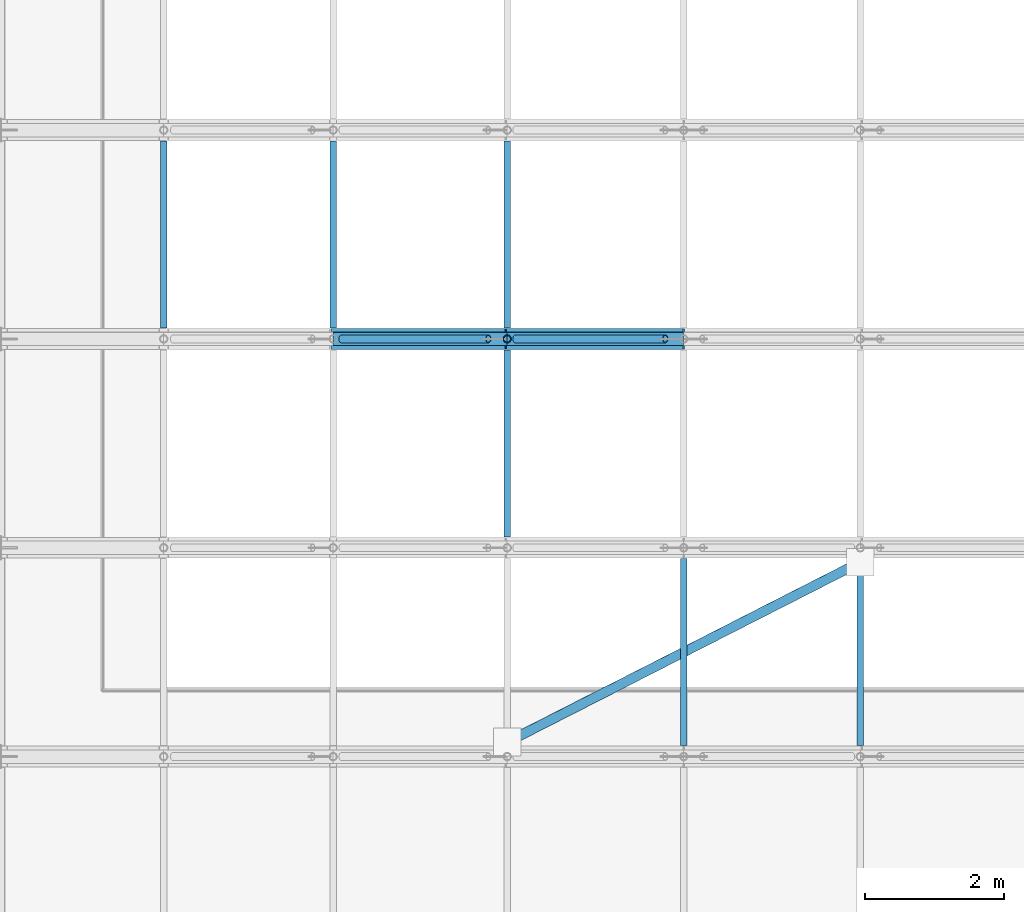
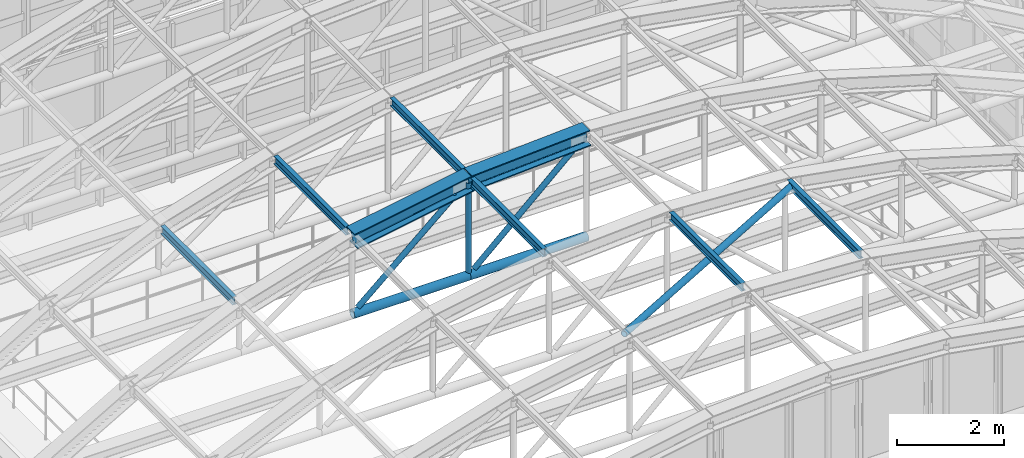
# One storey, part 58 of 148: 8 beams, 6 members.
"""IFC4 building model written with IfcOpenShell, lengths in metres."""

import ifcopenshell
import ifcopenshell.guid

model = None  # the IFC model being written
_history = None  # IfcOwnerHistory: only IFC2X3 demands one
_inside = {}  # id of a spatial element -> (the spatial element, [elements in it])
_under = {}  # id of a project, library or spatial element -> (it, [spatial elements below it])
_declared = {}  # id of a project -> (the project, [libraries it declares])
_typed = {}  # id of a type object -> (the type object, [elements of that type])
_made_of = {}  # id of a material, layer set ... -> (it, [elements and type objects made of it])


def new_model(schema):
    """Start an empty IFC model of exactly this schema.

    Asked for "IFC4X3", IfcOpenShell would pick the latest addendum, in which some entities
    have other attributes; the version numbers below select the first issue.
    IFC2X3 requires an IfcOwnerHistory on every rooted entity: one is made here for all.
    """
    global model, _history
    if schema == "IFC4X3":
        model = ifcopenshell.file(schema_version=(4, 3, 0, 0))
    else:
        model = ifcopenshell.file(schema=schema)
    _inside.clear()
    _under.clear()
    _declared.clear()
    _typed.clear()
    _made_of.clear()
    _history = None
    if model.schema == "IFC2X3":
        org = make("IfcOrganization", Name="unknown")
        user = make(
            "IfcPersonAndOrganization",
            ThePerson=make("IfcPerson", FamilyName="unknown"),
            TheOrganization=org,
        )
        app = make(
            "IfcApplication",
            ApplicationDeveloper=org,
            Version="unknown",
            ApplicationFullName="unknown",
            ApplicationIdentifier="unknown",
        )
        _history = make(
            "IfcOwnerHistory",
            OwningUser=user,
            OwningApplication=app,
            ChangeAction="ADDED",
            CreationDate=0,
        )
    return model


def make(cls, **values):
    """One entity of the class cls with the attributes given. An attribute that is None is left unset."""
    return model.create_entity(
        cls, **{name: value for name, value in values.items() if value is not None}
    )


def rooted(cls, **values):
    """An entity with a GlobalId (a new one), such as an element, a storey or a relation."""
    return make(cls, GlobalId=ifcopenshell.guid.new(), OwnerHistory=_history, **values)


def si_unit(unit_type, name, prefix=None):
    """IfcSIUnit, for example si_unit("LENGTHUNIT", "METRE", prefix="MILLI")."""
    return make("IfcSIUnit", UnitType=unit_type, Prefix=prefix, Name=name)


def assignment(units):
    """IfcUnitAssignment: the units of a project."""
    return None if units is None else make("IfcUnitAssignment", Units=units)


def point(xyz):
    """IfcCartesianPoint."""
    return None if xyz is None else make("IfcCartesianPoint", Coordinates=xyz)


def direction(xyz):
    """IfcDirection."""
    return None if xyz is None else make("IfcDirection", DirectionRatios=xyz)


def frame(location, z_axis=None, x_axis=None):
    """IfcAxis2Placement3D, a coordinate frame: its origin and axes. An axis left out is left unset."""
    return make(
        "IfcAxis2Placement3D",
        Location=point(location),
        Axis=direction(z_axis),
        RefDirection=direction(x_axis),
    )


def frame_2d(location, x_axis=None):
    """IfcAxis2Placement2D, a coordinate frame in the plane: its origin and x axis."""
    return make(
        "IfcAxis2Placement2D", Location=point(location), RefDirection=direction(x_axis)
    )


def origin():
    """The frame at (0, 0, 0) with its axes left unset."""
    return frame((0.0, 0.0, 0.0))


def origin_2d():
    """The frame at (0, 0) in the plane with its x axis left unset."""
    return frame_2d((0.0, 0.0))


def place(relative_to, where):
    """IfcLocalPlacement: puts the frame where relative to a parent placement (None: the world)."""
    return make(
        "IfcLocalPlacement", PlacementRelTo=relative_to, RelativePlacement=where
    )


def context(
    kind, dimensions, precision=None, world=None, true_north=None, identifier=None
):
    """IfcGeometricRepresentationContext, for example the 3D "Model" context."""
    return make(
        "IfcGeometricRepresentationContext",
        ContextIdentifier=identifier,
        ContextType=kind,
        CoordinateSpaceDimension=dimensions,
        Precision=precision,
        WorldCoordinateSystem=world,
        TrueNorth=true_north,
    )


def subcontext(parent, identifier, kind, view, scale=None):
    """IfcGeometricRepresentationSubContext, for example "Body" below "Model"."""
    return make(
        "IfcGeometricRepresentationSubContext",
        ContextIdentifier=identifier,
        ContextType=kind,
        ParentContext=parent,
        TargetScale=scale,
        TargetView=view,
    )


def project(units=None, contexts=None):
    """IfcProject with its units and contexts."""
    return rooted(
        "IfcProject",
        Name="project",
        RepresentationContexts=contexts,
        UnitsInContext=assignment(units),
    )


def spatial(cls, under=None, at=None, **own):
    """A site, building, storey or space (cls), placed at a placement, below another one or the project."""
    s = rooted(cls, ObjectPlacement=at, **own)
    if under is not None:
        _under.setdefault(under.id(), (under, []))[1].append(s)
    return s


def profile(cls, at=None, kind="AREA", **sizes):
    """A parametric profile (cls). Its sizes go by their IFC names, for example OverallWidth=200.0."""
    return make(cls, ProfileType=kind, Position=at, **sizes)


def hollow_circle(**sizes):
    """IfcCircleHollowProfileDef."""
    return profile("IfcCircleHollowProfileDef", **sizes)


def i_section(**sizes):
    """IfcIShapeProfileDef."""
    return profile("IfcIShapeProfileDef", **sizes)


def extrude(swept, where, along, depth):
    """IfcExtrudedAreaSolid: the profile swept, set in the frame where, extruded along a direction by depth."""
    return make(
        "IfcExtrudedAreaSolid",
        SweptArea=swept,
        Position=where,
        ExtrudedDirection=direction(along),
        Depth=depth,
    )


def shape(context_of_items, identifier, shape_type, items):
    """IfcShapeRepresentation: the items that make up one representation, for example the "Body"."""
    return make(
        "IfcShapeRepresentation",
        ContextOfItems=context_of_items,
        RepresentationIdentifier=identifier,
        RepresentationType=shape_type,
        Items=items,
    )


def material(Name=None, Category=None):
    """IfcMaterial."""
    return make("IfcMaterial", Name=Name, Category=Category)


def material_profile(
    of_material, cross_section, Name=None, Category=None, Priority=None
):
    """IfcMaterialProfile: a cross section and its material."""
    return make(
        "IfcMaterialProfile",
        Name=Name,
        Material=of_material,
        Profile=cross_section,
        Priority=Priority,
        Category=Category,
    )


def profile_set(profiles, Name=None, composite=None):
    """IfcMaterialProfileSet."""
    return make(
        "IfcMaterialProfileSet",
        Name=Name,
        MaterialProfiles=profiles,
        CompositeProfile=composite,
    )


def made_of(thing, what):
    """Note that an element or type object is made of a material, layer set ...; save() writes the relation."""
    if what is not None:
        _made_of.setdefault(what.id(), (what, []))[1].append(thing)
    return thing


def type_object(cls, material=None, **own):
    """A type object (cls), such as IfcWallType, which elements share."""
    return made_of(rooted(cls, **own), material)


def element(
    cls,
    number,
    at=None,
    inside=None,
    cuts=None,
    type_object=None,
    material=None,
    context=None,
    identifier="Body",
    shape_type=None,
    held_by="IfcProductDefinitionShape",
    body=None,
    shapes=None,
    **own,
):
    """One element of the class cls, such as IfcWall. Its Tag is "e" and its number.

    at: its placement. inside: the storey or other place that contains it. cuts: it is an
    opening in that element (IfcRelVoidsElement). A single representation is given by context,
    identifier, shape_type and body (its items); several are given by shapes. held_by: the class
    of the entity that holds the representations. save() writes the other relations.
    """
    e = rooted(cls, Tag="e%d" % number, ObjectPlacement=at, **own)
    if body is not None:
        shapes = [shape(context, identifier, shape_type, body)]
    if shapes is not None:
        e.Representation = make(held_by, Representations=shapes)
    if inside is not None:
        _inside.setdefault(inside.id(), (inside, []))[1].append(e)
    if cuts is not None:
        rooted(
            "IfcRelVoidsElement", RelatingBuildingElement=cuts, RelatedOpeningElement=e
        )
    if type_object is not None:
        _typed.setdefault(type_object.id(), (type_object, []))[1].append(e)
    return made_of(e, material)


def aggregate(whole, parts):
    """IfcRelAggregates: a whole, such as a stair, and the parts it consists of."""
    return rooted("IfcRelAggregates", RelatingObject=whole, RelatedObjects=parts)


def save(model, path):
    """Write the relations noted so far, then the file.

    IfcRelAggregates (storeys below a building ...), IfcRelContainedInSpatialStructure (elements
    in a storey), IfcRelDefinesByType, IfcRelAssociatesMaterial and IfcRelDeclares: one each for
    every whole, place, type object, material and project.
    """
    for whole, parts in _under.values():
        aggregate(whole, parts)
    for where, things in _inside.values():
        rooted(
            "IfcRelContainedInSpatialStructure",
            RelatedElements=things,
            RelatingStructure=where,
        )
    for kind, things in _typed.values():
        rooted("IfcRelDefinesByType", RelatedObjects=things, RelatingType=kind)
    for what, things in _made_of.values():
        rooted("IfcRelAssociatesMaterial", RelatedObjects=things, RelatingMaterial=what)
    for by, libraries in _declared.values():
        rooted("IfcRelDeclares", RelatingContext=by, RelatedDefinitions=libraries)
    model.write(path)


model = new_model("IFC4")

# Units and contexts
model_context = context("Model", 3, precision=1e-05, world=origin(), true_north=direction((0.0, 1.0)))
body_context = subcontext(model_context, "Body", "Model", "MODEL_VIEW")
ifc_project = project(units=[si_unit("LENGTHUNIT", "METRE"), si_unit("AREAUNIT", "SQUARE_METRE"), si_unit("VOLUMEUNIT", "CUBIC_METRE"), si_unit("PLANEANGLEUNIT", "RADIAN"), si_unit("MASSUNIT", "GRAM", prefix="KILO"), si_unit("THERMODYNAMICTEMPERATUREUNIT", "KELVIN"), si_unit("POWERUNIT", "WATT")], contexts=[model_context])

# Site, building, storey
site_placement = place(None, origin())
site = spatial("IfcSite", under=ifc_project, at=site_placement, CompositionType="ELEMENT")
building_placement = place(site_placement, origin())
building = spatial("IfcBuilding", under=site, at=building_placement, Name="Solvatero Civic Police Headquarters", CompositionType="ELEMENT")
storey_placement = place(building_placement, frame((0.0, 0.0, 5.10009765625)))
storey = spatial("IfcBuildingStorey", under=building, at=storey_placement, Name="L01", CompositionType="ELEMENT", Elevation=5.10009765625)

# Beams
ifc_material = material(Name="Steel S355", Category="steel")
ifc_material_profile_1 = material_profile(ifc_material, i_section(OverallWidth=0.300048828125, OverallDepth=0.360107421875, WebThickness=0.012451171875, FlangeThickness=0.0224609375, FilletRadius=0.027099609375, at=origin_2d()), Name="HEB 360")
ifc_profile_set_1 = profile_set([ifc_material_profile_1], Name="Steel S355")
beam_type_1 = type_object("IfcBeamType", Name="BM-ST-HEB360", PredefinedType="BEAM", material=ifc_profile_set_1)
beam_1_placement = place(storey_placement, frame((71.762939453125, 50.5, 6.86474609375), z_axis=(0.984749672323, 0.0, 0.173977248112), x_axis=(0.0, 1.0, 0.0)))
element("IfcBeam", 1, at=beam_1_placement, inside=storey, type_object=beam_type_1, Name="VLT2 Tied-Arch Vault Top Chord F4.4", PredefinedType="BEAM", context=body_context, shape_type="SweptSolid", body=[
    extrude(i_section(OverallWidth=0.300048828125, OverallDepth=0.360107421875, WebThickness=0.012451171875, FlangeThickness=0.0224609375, FilletRadius=0.027099609375, at=origin_2d()), origin(), (0.0, 0.0, 1.0), 2.5400390625),
])
beam_2_placement = place(storey_placement, frame((74.26416015625, 50.5, 7.311279296875), z_axis=(0.9983024287, 0.0, 0.058243118494), x_axis=(0.0, 1.0, 0.0)))
element("IfcBeam", 2, at=beam_2_placement, inside=storey, type_object=beam_type_1, Name="VLT2 Tied-Arch Vault Top Chord F4.5", PredefinedType="BEAM", context=body_context, shape_type="SweptSolid", body=[
    extrude(i_section(OverallWidth=0.300048828125, OverallDepth=0.360107421875, WebThickness=0.012451171875, FlangeThickness=0.0224609375, FilletRadius=0.027099609375, at=origin_2d()), origin(), (0.0, 0.0, 1.0), 2.540283203125),
])
ifc_material_profile_2 = material_profile(ifc_material, i_section(OverallWidth=0.091064453125, OverallDepth=0.179931640625, WebThickness=0.00537109375, FlangeThickness=0.008056640625, FilletRadius=0.009033203125, at=origin_2d()), Name="IPE 180")
ifc_profile_set_2 = profile_set([ifc_material_profile_2], Name="Steel S355")
beam_type_2 = type_object("IfcBeamType", Name="BM-ST-IPE180", PredefinedType="JOIST", material=ifc_profile_set_2)
for number, where, z_axis, x_axis, name in (
    (3, (76.800048828125, 44.657958984375, 7.524658203125), (0.0, 1.0, 0.0), (-1.0, 0.0, 0.0), "VLT2 Vault Roof Purlin B2.5"),
    (4, (79.335693359375, 44.657958984375, 7.37451171875), (0.0, 1.0, 0.0), (-1.0, 0.0, 0.0), "VLT2 Vault Roof Purlin B2.6"),
    (5, (74.26416015625, 47.657958984375, 7.37451171875), (0.0, 1.0, 0.0), (-1.0, 0.0, 0.0), "VLT2 Vault Roof Purlin B3.4"),
    (6, (69.330078125, 50.657958984375, 6.19091796875), (0.0, 1.0, 0.0), (-1.0, 0.0, 0.0), "VLT2 Vault Roof Purlin B4.2"),
    (7, (71.762939453125, 50.657958984375, 6.927978515625), (0.0, 1.0, 0.0), (-1.0, 0.0, 0.0), "VLT2 Vault Roof Purlin B4.3"),
    (8, (74.26416015625, 50.657958984375, 7.37451171875), (0.0, 1.0, 0.0), (-1.0, 0.0, 0.0), "VLT2 Vault Roof Purlin B4.4"),
):
    element("IfcBeam", number, at=place(storey_placement, frame(where, z_axis=z_axis, x_axis=x_axis)), inside=storey, type_object=beam_type_2, Name=name, PredefinedType="JOIST", context=body_context, shape_type="SweptSolid", body=[
        extrude(i_section(OverallWidth=0.091064453125, OverallDepth=0.179931640625, WebThickness=0.00537109375, FlangeThickness=0.008056640625, FilletRadius=0.009033203125, at=origin_2d()), origin(), (0.0, 0.0, 1.0), 2.68408203125),
    ])

# Members
ifc_material_profile_3 = material_profile(ifc_material, hollow_circle(Radius=0.06982421875, WallThickness=0.008056640625, at=origin_2d()), Name="CHS 139.7x8.0")
ifc_profile_set_3 = profile_set([ifc_material_profile_3], Name="Steel S355")
member_type_1 = type_object("IfcMemberType", Name="MB-BR-CHS140", PredefinedType="BRACE", material=ifc_profile_set_3)
member_1_placement = place(storey_placement, frame((74.26416015625, 44.7080078125, 7.31591796875), z_axis=(0.891012981308, 0.453977826706, 0.0), x_axis=(-0.453977826706, 0.891012981308, 0.0)))
element("IfcMember", 9, at=member_1_placement, inside=storey, type_object=member_type_1, Name="VLT2 Vault Single Diagonal Wind Brace B2", PredefinedType="BRACE", context=body_context, shape_type="SweptSolid", body=[
    extrude(hollow_circle(Radius=0.06982421875, WallThickness=0.008056640625, at=origin_2d()), origin(), (0.0, 0.0, 1.0), 5.69189453125),
])
ifc_material_profile_4 = material_profile(ifc_material, hollow_circle(Radius=0.05712890625, WallThickness=0.008056640625, at=origin_2d()), Name="CHS 114.3x8.0")
ifc_profile_set_4 = profile_set([ifc_material_profile_4], Name="Steel S355")
member_type_2 = type_object("IfcMemberType", Name="MB-HNG-CHS114", PredefinedType="STRUT", material=ifc_profile_set_4)
member_2_placement = place(storey_placement, frame((71.883544921875, 50.5, 5.2412109375), z_axis=(0.753915676924, 0.0, 0.656971195783), x_axis=(0.0, 1.0, 0.0)))
element("IfcMember", 10, at=member_2_placement, inside=storey, type_object=member_type_2, Name="VLT2 Vault Truss Diagonal Web F4.3", PredefinedType="STRUT", context=body_context, shape_type="SweptSolid", body=[
    extrude(hollow_circle(Radius=0.05712890625, WallThickness=0.008056640625, at=origin_2d()), origin(), (0.0, 0.0, 1.0), 2.7978515625),
])
member_3_placement = place(storey_placement, frame((74.382080078125, 50.5, 5.244384765625), z_axis=(0.736703146359, 0.0, 0.676216292428), x_axis=(0.0, 1.0, 0.0)))
element("IfcMember", 11, at=member_3_placement, inside=storey, type_object=member_type_2, Name="VLT2 Vault Truss Diagonal Web F4.4", PredefinedType="STRUT", context=body_context, shape_type="SweptSolid", body=[
    extrude(hollow_circle(Radius=0.05712890625, WallThickness=0.008056640625, at=origin_2d()), origin(), (0.0, 0.0, 1.0), 2.92236328125),
])
member_4_placement = place(storey_placement, frame((74.26416015625, 50.5, 5.17626953125), z_axis=(0.0, 0.0, 1.0), x_axis=(1.0, 0.0, 0.0)))
element("IfcMember", 12, at=member_4_placement, inside=storey, type_object=member_type_2, Name="VLT2 Vault Vertical Hanger F4.4", PredefinedType="STRUT", context=body_context, shape_type="SweptSolid", body=[
    extrude(hollow_circle(Radius=0.05712890625, WallThickness=0.008056640625, at=origin_2d()), origin(), (0.0, 0.0, 1.0), 2.089599609375),
])
ifc_material_profile_5 = material_profile(ifc_material, hollow_circle(Radius=0.096923828125, WallThickness=0.010009765625, at=origin_2d()), Name="CHS 193.7x10.0")
ifc_profile_set_5 = profile_set([ifc_material_profile_5], Name="Steel S355")
member_type_3 = type_object("IfcMemberType", Name="MB-TIE-CHS194", PredefinedType="CHORD", material=ifc_profile_set_5)
member_5_placement = place(storey_placement, frame((71.762939453125, 50.5, 5.13623046875), z_axis=(1.0, 0.0, 0.0), x_axis=(0.0, 1.0, 0.0)))
element("IfcMember", 13, at=member_5_placement, inside=storey, type_object=member_type_3, Name="VLT2 Vault Horizontal Tie Chord F4.3", PredefinedType="CHORD", context=body_context, shape_type="SweptSolid", body=[
    extrude(hollow_circle(Radius=0.096923828125, WallThickness=0.010009765625, at=origin_2d()), origin(), (0.0, 0.0, 1.0), 2.501220703125),
])
member_6_placement = place(storey_placement, frame((74.26416015625, 50.5, 5.13623046875), z_axis=(1.0, 0.0, 0.0), x_axis=(0.0, 1.0, 0.0)))
element("IfcMember", 14, at=member_6_placement, inside=storey, type_object=member_type_3, Name="VLT2 Vault Horizontal Tie Chord F4.4", PredefinedType="CHORD", context=body_context, shape_type="SweptSolid", body=[
    extrude(hollow_circle(Radius=0.096923828125, WallThickness=0.010009765625, at=origin_2d()), origin(), (0.0, 0.0, 1.0), 2.535888671875),
])

save(model, "model.ifc")
